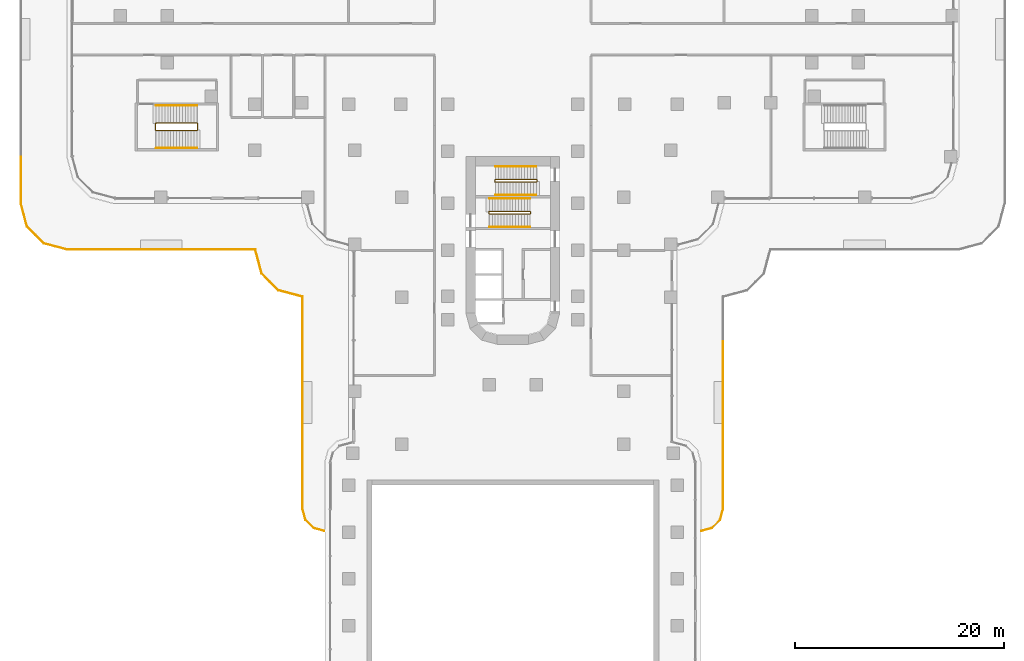
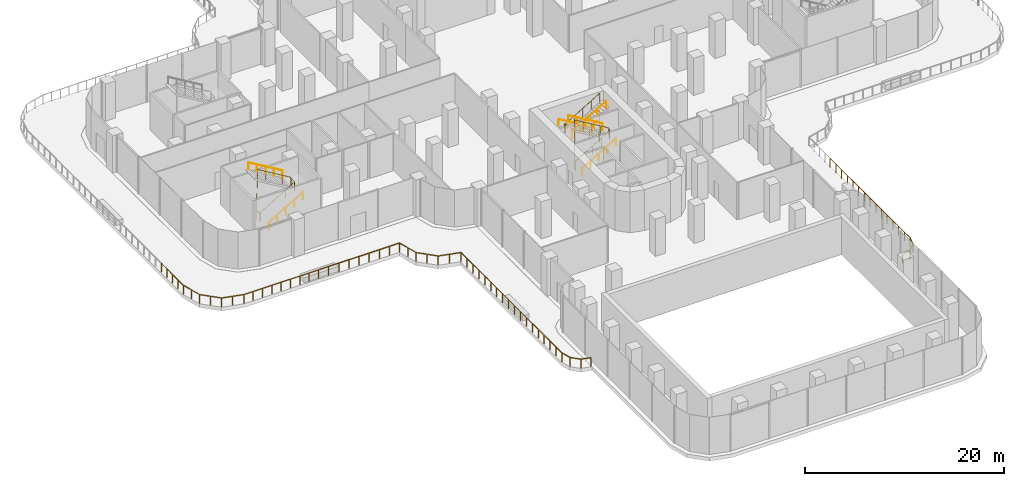
# One storey, part 23 of 27: 13 railings.
"""IFC4 building model written with IfcOpenShell, lengths in metres."""

from ifc_helpers import new_model, si_unit, direction, frame, origin, origin_2d, place, context, subcontext, project, spatial, circle, extrude, material, type_object, element, save


model = new_model("IFC4")

# Units and contexts
model_context = context("Model", 3, precision=1e-05, world=origin(), true_north=direction((0.0, 1.0)))
body_context = subcontext(model_context, "Body", "Model", "MODEL_VIEW")
ifc_project = project(units=[si_unit("LENGTHUNIT", "METRE"), si_unit("AREAUNIT", "SQUARE_METRE"), si_unit("VOLUMEUNIT", "CUBIC_METRE"), si_unit("PLANEANGLEUNIT", "RADIAN"), si_unit("MASSUNIT", "GRAM", prefix="KILO")], contexts=[model_context])

# Site, building, storey
site_placement = place(None, origin())
site = spatial("IfcSite", under=ifc_project, at=site_placement, CompositionType="ELEMENT")
building_placement = place(site_placement, origin())
building = spatial("IfcBuilding", under=site, at=building_placement, Name="Zarbagh Exchange Tower", CompositionType="ELEMENT")
storey_placement = place(building_placement, frame((0.0, 0.0, 17.0)))
storey = spatial("IfcBuildingStorey", under=building, at=storey_placement, Name="L03", CompositionType="ELEMENT", Elevation=17.0)

# Railings
ifc_material_1 = material(Name="Stainless steel", Category="steel")
railing_type_1 = type_object("IfcRailingType", Name="Stair guard 1100 mm", PredefinedType="GUARDRAIL", material=ifc_material_1)
railing_1_placement = place(storey_placement, frame((1.669921875, -16.5, 2.666748046875)))
element("IfcRailing", 1, at=railing_1_placement, inside=storey, type_object=railing_type_1, Name="ST3 stair guard 1", PredefinedType="GUARDRAIL", context=body_context, shape_type="SweptSolid", body=[
    extrude(circle(Radius=0.02392578125, at=origin_2d()), frame((0.0, 0.0, 1.076171875), z_axis=(-0.859296244711, 0.0, 0.511478214419), x_axis=(0.0, -1.0, 0.0)), (0.0, 0.0, 1.0), 4.561767578125),
    extrude(circle(Radius=0.02392578125, at=origin_2d()), frame((-3.919921875, 0.0, 3.4091796875), z_axis=(-0.010008762843, -0.010008762843, -0.999899819648), x_axis=(0.707106781187, -0.707106781187, 0.0)), (0.0, 0.0, 1.0), 5.00048828125),
    extrude(circle(Radius=0.02392578125, at=origin_2d()), frame((-3.969970703125, -0.050048828125, -1.5908203125), z_axis=(0.0, -1.0, 0.0), x_axis=(1.0, 0.0, 0.0)), (0.0, 0.0, 1.0), 0.14990234375),
    extrude(circle(Radius=0.02392578125, at=origin_2d()), frame((-3.969970703125, -0.199951171875, -1.5908203125), z_axis=(0.27628659633, -0.27628659633, 0.920506074601), x_axis=(0.707106781187, 0.707106781187, 0.0)), (0.0, 0.0, 1.0), 0.18115234375),
    extrude(circle(Radius=0.02392578125, at=origin_2d()), frame((-3.919921875, -0.25, -1.423828125), z_axis=(0.859296244711, 0.0, 0.511478214419), x_axis=(0.0, 1.0, 0.0)), (0.0, 0.0, 1.0), 4.561767578125),
    extrude(circle(Radius=0.02392578125, at=origin_2d()), frame((0.0, -0.25, 0.9091796875), z_axis=(0.707106781187, 0.707106781187, 0.0), x_axis=(-0.707106781187, 0.707106781187, 0.0)), (0.0, 0.0, 1.0), 0.07080078125),
    extrude(circle(Radius=0.02392578125, at=origin_2d()), frame((0.050048828125, -0.199951171875, 0.9091796875), z_axis=(0.0, 1.0, 0.0), x_axis=(-1.0, 0.0, 0.0)), (0.0, 0.0, 1.0), 0.14990234375),
    extrude(circle(Radius=0.02099609375, at=origin_2d()), origin(), (0.0, 0.0, 1.0), 1.052001953125),
    extrude(circle(Radius=0.02099609375, at=origin_2d()), frame((-0.97998046875, 0.0, 0.583251953125)), (0.0, 0.0, 1.0), 1.052001953125),
    extrude(circle(Radius=0.02099609375, at=origin_2d()), frame((-1.9599609375, 0.0, 1.16650390625)), (0.0, 0.0, 1.0), 1.052001953125),
    extrude(circle(Radius=0.02099609375, at=origin_2d()), frame((-2.93994140625, 0.0, 1.75)), (0.0, 0.0, 1.0), 1.052001953125),
    extrude(circle(Radius=0.02099609375, at=origin_2d()), frame((-3.919921875, 0.0, 2.333251953125)), (0.0, 0.0, 1.0), 1.052001953125),
    extrude(circle(Radius=0.02099609375, at=origin_2d()), frame((-3.929931640625, -0.010009765625, 1.333251953125)), (0.0, 0.0, 1.0), 1.052001953125),
    extrude(circle(Radius=0.02099609375, at=origin_2d()), frame((-3.93994140625, -0.02001953125, 0.333251953125)), (0.0, 0.0, 1.0), 1.052001953125),
    extrude(circle(Radius=0.02099609375, at=origin_2d()), frame((-3.949951171875, -0.030029296875, -0.666748046875)), (0.0, 0.0, 1.0), 1.052001953125),
    extrude(circle(Radius=0.02099609375, at=origin_2d()), frame((-3.9599609375, -0.0400390625, -1.666748046875)), (0.0, 0.0, 1.0), 1.052001953125),
    extrude(circle(Radius=0.02099609375, at=origin_2d()), frame((-3.969970703125, -0.050048828125, -2.666748046875)), (0.0, 0.0, 1.0), 1.052001953125),
    extrude(circle(Radius=0.02099609375, at=origin_2d()), frame((-3.969970703125, -0.199951171875, -2.666748046875)), (0.0, 0.0, 1.0), 1.052001953125),
    extrude(circle(Radius=0.02099609375, at=origin_2d()), frame((-3.919921875, -0.25, -2.5)), (0.0, 0.0, 1.0), 1.052001953125),
    extrude(circle(Radius=0.02099609375, at=origin_2d()), frame((-2.93994140625, -0.25, -1.916748046875)), (0.0, 0.0, 1.0), 1.052001953125),
    extrude(circle(Radius=0.02099609375, at=origin_2d()), frame((-1.9599609375, -0.25, -1.33349609375)), (0.0, 0.0, 1.0), 1.052001953125),
    extrude(circle(Radius=0.02099609375, at=origin_2d()), frame((-0.97998046875, -0.25, -0.75)), (0.0, 0.0, 1.0), 1.052001953125),
    extrude(circle(Radius=0.02099609375, at=origin_2d()), frame((0.0, -0.25, -0.166748046875)), (0.0, 0.0, 1.0), 1.052001953125),
    extrude(circle(Radius=0.02099609375, at=origin_2d()), frame((0.050048828125, -0.199951171875, -0.166748046875)), (0.0, 0.0, 1.0), 1.052001953125),
    extrude(circle(Radius=0.02099609375, at=origin_2d()), frame((0.050048828125, -0.050048828125, -0.166748046875)), (0.0, 0.0, 1.0), 1.052001953125),
])
railing_2_placement = place(storey_placement, frame((-1.719970703125, -13.5, 2.5)))
element("IfcRailing", 2, at=railing_2_placement, inside=storey, type_object=railing_type_1, Name="ST4 stair guard 1", PredefinedType="GUARDRAIL", context=body_context, shape_type="SweptSolid", body=[
    extrude(circle(Radius=0.02392578125, at=origin_2d()), frame((0.0, 0.0, 1.076171875), z_axis=(0.0, -1.0, 0.0), x_axis=(1.0, 0.0, 0.0)), (0.0, 0.0, 1.0), 0.14990234375),
    extrude(circle(Radius=0.02392578125, at=origin_2d()), frame((0.0, -0.14990234375, 1.076171875), z_axis=(0.27628659633, -0.27628659633, 0.920506074601), x_axis=(0.707106781187, 0.707106781187, 0.0)), (0.0, 0.0, 1.0), 0.18115234375),
    extrude(circle(Radius=0.02392578125, at=origin_2d()), frame((0.050048828125, -0.199951171875, 1.24267578125), z_axis=(0.859296244711, 0.0, 0.511478214419), x_axis=(0.0, 1.0, 0.0)), (0.0, 0.0, 1.0), 4.561767578125),
    extrude(circle(Radius=0.02392578125, at=origin_2d()), frame((3.969970703125, -0.199951171875, 3.576171875), z_axis=(0.010008762843, 0.010008762843, -0.999899819648), x_axis=(-0.707106781187, 0.707106781187, 0.0)), (0.0, 0.0, 1.0), 5.00048828125),
    extrude(circle(Radius=0.02392578125, at=origin_2d()), frame((4.02001953125, -0.14990234375, -1.423828125), z_axis=(0.0, 1.0, 0.0), x_axis=(-1.0, 0.0, 0.0)), (0.0, 0.0, 1.0), 0.14990234375),
    extrude(circle(Radius=0.02392578125, at=origin_2d()), frame((4.02001953125, 0.0, -1.423828125), z_axis=(-0.27628659633, 0.27628659633, 0.920506074601), x_axis=(-0.707106781187, -0.707106781187, 0.0)), (0.0, 0.0, 1.0), 0.18115234375),
    extrude(circle(Radius=0.02392578125, at=origin_2d()), frame((3.969970703125, 0.050048828125, -1.25732421875), z_axis=(-0.859296244711, 0.0, 0.511478214419), x_axis=(0.0, -1.0, 0.0)), (0.0, 0.0, 1.0), 4.561767578125),
    extrude(circle(Radius=0.02099609375, at=origin_2d()), origin(), (0.0, 0.0, 1.0), 1.052001953125),
    extrude(circle(Radius=0.02099609375, at=origin_2d()), frame((0.0, -0.14990234375, 0.0)), (0.0, 0.0, 1.0), 1.052001953125),
    extrude(circle(Radius=0.02099609375, at=origin_2d()), frame((0.050048828125, -0.199951171875, 0.166748046875)), (0.0, 0.0, 1.0), 1.052001953125),
    extrude(circle(Radius=0.02099609375, at=origin_2d()), frame((1.030029296875, -0.199951171875, 0.75)), (0.0, 0.0, 1.0), 1.052001953125),
    extrude(circle(Radius=0.02099609375, at=origin_2d()), frame((2.010009765625, -0.199951171875, 1.33349609375)), (0.0, 0.0, 1.0), 1.052001953125),
    extrude(circle(Radius=0.02099609375, at=origin_2d()), frame((2.989990234375, -0.199951171875, 1.916748046875)), (0.0, 0.0, 1.0), 1.052001953125),
    extrude(circle(Radius=0.02099609375, at=origin_2d()), frame((3.969970703125, -0.199951171875, 2.5)), (0.0, 0.0, 1.0), 1.052001953125),
    extrude(circle(Radius=0.02099609375, at=origin_2d()), frame((3.97998046875, -0.18994140625, 1.5)), (0.0, 0.0, 1.0), 1.052001953125),
    extrude(circle(Radius=0.02099609375, at=origin_2d()), frame((3.989990234375, -0.179931640625, 0.5)), (0.0, 0.0, 1.0), 1.052001953125),
    extrude(circle(Radius=0.02099609375, at=origin_2d()), frame((4.0, -0.169921875, -0.5)), (0.0, 0.0, 1.0), 1.052001953125),
    extrude(circle(Radius=0.02099609375, at=origin_2d()), frame((4.010009765625, -0.159912109375, -1.5)), (0.0, 0.0, 1.0), 1.052001953125),
    extrude(circle(Radius=0.02099609375, at=origin_2d()), frame((4.02001953125, -0.14990234375, -2.5)), (0.0, 0.0, 1.0), 1.052001953125),
    extrude(circle(Radius=0.02099609375, at=origin_2d()), frame((4.02001953125, 0.0, -2.5)), (0.0, 0.0, 1.0), 1.052001953125),
    extrude(circle(Radius=0.02099609375, at=origin_2d()), frame((3.969970703125, 0.050048828125, -2.333251953125)), (0.0, 0.0, 1.0), 1.052001953125),
    extrude(circle(Radius=0.02099609375, at=origin_2d()), frame((2.989990234375, 0.050048828125, -1.75)), (0.0, 0.0, 1.0), 1.052001953125),
    extrude(circle(Radius=0.02099609375, at=origin_2d()), frame((2.010009765625, 0.050048828125, -1.16650390625)), (0.0, 0.0, 1.0), 1.052001953125),
    extrude(circle(Radius=0.02099609375, at=origin_2d()), frame((1.030029296875, 0.050048828125, -0.583251953125)), (0.0, 0.0, 1.0), 1.052001953125),
    extrude(circle(Radius=0.02099609375, at=origin_2d()), frame((0.050048828125, 0.050048828125, 0.0)), (0.0, 0.0, 1.0), 1.052001953125),
])
railing_3_placement = place(storey_placement, frame((-30.22998046875, -8.699951171875, 2.5)))
element("IfcRailing", 3, at=railing_3_placement, inside=storey, type_object=railing_type_1, Name="PS4 stair guard 1", PredefinedType="GUARDRAIL", context=body_context, shape_type="SweptSolid", body=[
    extrude(circle(Radius=0.02392578125, at=origin_2d()), frame((0.0, 0.0, 1.076171875), z_axis=(0.0, 1.0, 0.0), x_axis=(-1.0, 0.0, 0.0)), (0.0, 0.0, 1.0), 0.599853515625),
    extrude(circle(Radius=0.02392578125, at=origin_2d()), frame((0.0, 0.599853515625, 1.076171875), z_axis=(-0.27628659633, 0.27628659633, 0.920506074601), x_axis=(-0.707106781187, -0.707106781187, 0.0)), (0.0, 0.0, 1.0), 0.18115234375),
    extrude(circle(Radius=0.02392578125, at=origin_2d()), frame((-0.050048828125, 0.64990234375, 1.24267578125), z_axis=(-0.859296244711, 0.0, 0.511478214419), x_axis=(0.0, -1.0, 0.0)), (0.0, 0.0, 1.0), 4.561767578125),
    extrude(circle(Radius=0.02392578125, at=origin_2d()), frame((-3.969970703125, 0.64990234375, 3.576171875), z_axis=(-0.010008762843, -0.010008762843, -0.999899819648), x_axis=(0.707106781187, -0.707106781187, 0.0)), (0.0, 0.0, 1.0), 5.00048828125),
    extrude(circle(Radius=0.02392578125, at=origin_2d()), frame((-4.02001953125, 0.599853515625, -1.423828125), z_axis=(0.0, -1.0, 0.0), x_axis=(1.0, 0.0, 0.0)), (0.0, 0.0, 1.0), 0.599853515625),
    extrude(circle(Radius=0.02392578125, at=origin_2d()), frame((-4.02001953125, 0.0, -1.423828125), z_axis=(0.27628659633, -0.27628659633, 0.920506074601), x_axis=(0.707106781187, 0.707106781187, 0.0)), (0.0, 0.0, 1.0), 0.18115234375),
    extrude(circle(Radius=0.02392578125, at=origin_2d()), frame((-3.969970703125, -0.050048828125, -1.25732421875), z_axis=(0.859296244711, 0.0, 0.511478214419), x_axis=(0.0, 1.0, 0.0)), (0.0, 0.0, 1.0), 4.561767578125),
    extrude(circle(Radius=0.02099609375, at=origin_2d()), origin(), (0.0, 0.0, 1.0), 1.052001953125),
    extrude(circle(Radius=0.02099609375, at=origin_2d()), frame((0.0, 0.599853515625, 0.0)), (0.0, 0.0, 1.0), 1.052001953125),
    extrude(circle(Radius=0.02099609375, at=origin_2d()), frame((-0.050048828125, 0.64990234375, 0.166748046875)), (0.0, 0.0, 1.0), 1.052001953125),
    extrude(circle(Radius=0.02099609375, at=origin_2d()), frame((-1.030029296875, 0.64990234375, 0.75)), (0.0, 0.0, 1.0), 1.052001953125),
    extrude(circle(Radius=0.02099609375, at=origin_2d()), frame((-2.010009765625, 0.64990234375, 1.33349609375)), (0.0, 0.0, 1.0), 1.052001953125),
    extrude(circle(Radius=0.02099609375, at=origin_2d()), frame((-2.989990234375, 0.64990234375, 1.916748046875)), (0.0, 0.0, 1.0), 1.052001953125),
    extrude(circle(Radius=0.02099609375, at=origin_2d()), frame((-3.969970703125, 0.64990234375, 2.5)), (0.0, 0.0, 1.0), 1.052001953125),
    extrude(circle(Radius=0.02099609375, at=origin_2d()), frame((-3.97998046875, 0.639892578125, 1.5)), (0.0, 0.0, 1.0), 1.052001953125),
    extrude(circle(Radius=0.02099609375, at=origin_2d()), frame((-3.989990234375, 0.6298828125, 0.5)), (0.0, 0.0, 1.0), 1.052001953125),
    extrude(circle(Radius=0.02099609375, at=origin_2d()), frame((-4.0, 0.619873046875, -0.5)), (0.0, 0.0, 1.0), 1.052001953125),
    extrude(circle(Radius=0.02099609375, at=origin_2d()), frame((-4.010009765625, 0.60986328125, -1.5)), (0.0, 0.0, 1.0), 1.052001953125),
    extrude(circle(Radius=0.02099609375, at=origin_2d()), frame((-4.02001953125, 0.599853515625, -2.5)), (0.0, 0.0, 1.0), 1.052001953125),
    extrude(circle(Radius=0.02099609375, at=origin_2d()), frame((-4.02001953125, 0.0, -2.5)), (0.0, 0.0, 1.0), 1.052001953125),
    extrude(circle(Radius=0.02099609375, at=origin_2d()), frame((-3.969970703125, -0.050048828125, -2.333251953125)), (0.0, 0.0, 1.0), 1.052001953125),
    extrude(circle(Radius=0.02099609375, at=origin_2d()), frame((-2.989990234375, -0.050048828125, -1.75)), (0.0, 0.0, 1.0), 1.052001953125),
    extrude(circle(Radius=0.02099609375, at=origin_2d()), frame((-2.010009765625, -0.050048828125, -1.16650390625)), (0.0, 0.0, 1.0), 1.052001953125),
    extrude(circle(Radius=0.02099609375, at=origin_2d()), frame((-1.030029296875, -0.050048828125, -0.583251953125)), (0.0, 0.0, 1.0), 1.052001953125),
    extrude(circle(Radius=0.02099609375, at=origin_2d()), frame((-0.050048828125, -0.050048828125, 0.0)), (0.0, 0.0, 1.0), 1.052001953125),
])
railing_type_2 = type_object("IfcRailingType", Name="Stair handrail 900 mm", PredefinedType="HANDRAIL", material=ifc_material_1)
railing_4_placement = place(storey_placement, frame((-2.25, -18.0, 0.166748046875)))
element("IfcRailing", 4, at=railing_4_placement, inside=storey, type_object=railing_type_2, Name="ST3 stair handrail 1", PredefinedType="HANDRAIL", context=body_context, shape_type="SweptSolid", body=[
    extrude(circle(Radius=0.02392578125, at=origin_2d()), frame((0.0, 0.0, 0.8759765625), z_axis=(0.859296244711, 0.0, 0.511478214419), x_axis=(0.0, 1.0, 0.0)), (0.0, 0.0, 1.0), 4.561767578125),
    extrude(circle(Radius=0.02099609375, at=origin_2d()), origin(), (0.0, 0.0, 1.0), 0.851806640625),
    extrude(circle(Radius=0.02099609375, at=origin_2d()), frame((0.97998046875, 0.0, 0.583251953125)), (0.0, 0.0, 1.0), 0.851806640625),
    extrude(circle(Radius=0.02099609375, at=origin_2d()), frame((1.9599609375, 0.0, 1.16650390625)), (0.0, 0.0, 1.0), 0.851806640625),
    extrude(circle(Radius=0.02099609375, at=origin_2d()), frame((2.93994140625, 0.0, 1.75)), (0.0, 0.0, 1.0), 0.851806640625),
    extrude(circle(Radius=0.02099609375, at=origin_2d()), frame((3.919921875, 0.0, 2.333251953125)), (0.0, 0.0, 1.0), 0.851806640625),
])
for number, where, name in (
    (5, (1.669921875, -15.25, 2.666748046875), "ST3 stair handrail 2"),
    (6, (2.25, -12.199951171875, 0.166748046875), "ST4 stair handrail 1"),
):
    element("IfcRailing", number, at=place(storey_placement, frame(where)), inside=storey, type_object=railing_type_2, Name=name, PredefinedType="HANDRAIL", context=body_context, shape_type="SweptSolid", body=[
        extrude(circle(Radius=0.02392578125, at=origin_2d()), frame((0.0, 0.0, 0.8759765625), z_axis=(-0.859296244711, 0.0, 0.511478214419), x_axis=(0.0, -1.0, 0.0)), (0.0, 0.0, 1.0), 4.561767578125),
        extrude(circle(Radius=0.02099609375, at=origin_2d()), origin(), (0.0, 0.0, 1.0), 0.851806640625),
        extrude(circle(Radius=0.02099609375, at=origin_2d()), frame((-0.97998046875, 0.0, 0.583251953125)), (0.0, 0.0, 1.0), 0.851806640625),
        extrude(circle(Radius=0.02099609375, at=origin_2d()), frame((-1.9599609375, 0.0, 1.16650390625)), (0.0, 0.0, 1.0), 0.851806640625),
        extrude(circle(Radius=0.02099609375, at=origin_2d()), frame((-2.93994140625, 0.0, 1.75)), (0.0, 0.0, 1.0), 0.851806640625),
        extrude(circle(Radius=0.02099609375, at=origin_2d()), frame((-3.919921875, 0.0, 2.333251953125)), (0.0, 0.0, 1.0), 0.851806640625),
    ])
for number, where, name in (
    (7, (-1.669921875, -14.949951171875, 2.666748046875), "ST4 stair handrail 2"),
    (8, (-34.199951171875, -10.449951171875, 0.166748046875), "PS4 stair handrail 1"),
):
    element("IfcRailing", number, at=place(storey_placement, frame(where)), inside=storey, type_object=railing_type_2, Name=name, PredefinedType="HANDRAIL", context=body_context, shape_type="SweptSolid", body=[
        extrude(circle(Radius=0.02392578125, at=origin_2d()), frame((0.0, 0.0, 0.8759765625), z_axis=(0.859296244711, 0.0, 0.511478214419), x_axis=(0.0, 1.0, 0.0)), (0.0, 0.0, 1.0), 4.561767578125),
        extrude(circle(Radius=0.02099609375, at=origin_2d()), origin(), (0.0, 0.0, 1.0), 0.851806640625),
        extrude(circle(Radius=0.02099609375, at=origin_2d()), frame((0.97998046875, 0.0, 0.583251953125)), (0.0, 0.0, 1.0), 0.851806640625),
        extrude(circle(Radius=0.02099609375, at=origin_2d()), frame((1.9599609375, 0.0, 1.16650390625)), (0.0, 0.0, 1.0), 0.851806640625),
        extrude(circle(Radius=0.02099609375, at=origin_2d()), frame((2.93994140625, 0.0, 1.75)), (0.0, 0.0, 1.0), 0.851806640625),
        extrude(circle(Radius=0.02099609375, at=origin_2d()), frame((3.919921875, 0.0, 2.333251953125)), (0.0, 0.0, 1.0), 0.851806640625),
    ])
railing_5_placement = place(storey_placement, frame((-30.280029296875, -6.35009765625, 2.666748046875)))
element("IfcRailing", 9, at=railing_5_placement, inside=storey, type_object=railing_type_2, Name="PS4 stair handrail 2", PredefinedType="HANDRAIL", context=body_context, shape_type="SweptSolid", body=[
    extrude(circle(Radius=0.02392578125, at=origin_2d()), frame((0.0, 0.0, 0.8759765625), z_axis=(-0.859296244711, 0.0, 0.511478214419), x_axis=(0.0, -1.0, 0.0)), (0.0, 0.0, 1.0), 4.561767578125),
    extrude(circle(Radius=0.02099609375, at=origin_2d()), origin(), (0.0, 0.0, 1.0), 0.851806640625),
    extrude(circle(Radius=0.02099609375, at=origin_2d()), frame((-0.97998046875, 0.0, 0.583251953125)), (0.0, 0.0, 1.0), 0.851806640625),
    extrude(circle(Radius=0.02099609375, at=origin_2d()), frame((-1.9599609375, 0.0, 1.16650390625)), (0.0, 0.0, 1.0), 0.851806640625),
    extrude(circle(Radius=0.02099609375, at=origin_2d()), frame((-2.93994140625, 0.0, 1.75)), (0.0, 0.0, 1.0), 0.851806640625),
    extrude(circle(Radius=0.02099609375, at=origin_2d()), frame((-3.919921875, 0.0, 2.333251953125)), (0.0, 0.0, 1.0), 0.851806640625),
])
ifc_material_2 = material(Name="Stainless steel and laminated glass", Category="steel")
railing_type_3 = type_object("IfcRailingType", Name="Terrace guard, glass balustrade 1.1 m", PredefinedType="GUARDRAIL", material=ifc_material_2)
railing_6_placement = place(storey_placement, frame((-18.080078125, -47.145751953125, 0.0)))
element("IfcRailing", 10, at=railing_6_placement, inside=storey, type_object=railing_type_3, Name="TG01 terrace guard", PredefinedType="GUARDRAIL", context=body_context, shape_type="SweptSolid", body=[
    extrude(circle(Radius=0.02490234375, at=origin_2d()), frame((0.0, 0.0, 1.0751953125), z_axis=(-0.96594175785, 0.258759580387, 0.0), x_axis=(-0.258759580387, -0.96594175785, 0.0)), (0.0, 0.0, 1.0), 1.038818359375),
    extrude(circle(Radius=0.02490234375, at=origin_2d()), frame((-1.00341796875, 0.268798828125, 1.0751953125), z_axis=(-0.707106781187, 0.707106781187, 0.0), x_axis=(-0.707106781187, -0.707106781187, 0.0)), (0.0, 0.0, 1.0), 1.1220703125),
    extrude(circle(Radius=0.02490234375, at=origin_2d()), frame((-1.796875, 1.062255859375, 1.0751953125), z_axis=(-0.258682208729, 0.965962481097, 0.0), x_axis=(-0.965962481097, -0.258682208729, 0.0)), (0.0, 0.0, 1.0), 1.132568359375),
    extrude(circle(Radius=0.02490234375, at=origin_2d()), frame((-2.08984375, 2.15625, 1.0751953125), z_axis=(0.0, 1.0, 0.0), x_axis=(-1.0, 0.0, 0.0)), (0.0, 0.0, 1.0), 16.70654296875),
    extrude(circle(Radius=0.02490234375, at=origin_2d()), origin(), (0.0, 0.0, 1.0), 1.050048828125),
    extrude(circle(Radius=0.02490234375, at=origin_2d()), frame((-1.00341796875, 0.268798828125, 0.0)), (0.0, 0.0, 1.0), 1.050048828125),
    extrude(circle(Radius=0.02490234375, at=origin_2d()), frame((-1.796875, 1.062255859375, 0.0)), (0.0, 0.0, 1.0), 1.050048828125),
    extrude(circle(Radius=0.02490234375, at=origin_2d()), frame((-2.08984375, 2.15625, 0.0)), (0.0, 0.0, 1.0), 1.050048828125),
    extrude(circle(Radius=0.02490234375, at=origin_2d()), frame((-2.08984375, 3.349609375, 0.0)), (0.0, 0.0, 1.0), 1.050048828125),
    extrude(circle(Radius=0.02490234375, at=origin_2d()), frame((-2.08984375, 4.54296875, 0.0)), (0.0, 0.0, 1.0), 1.050048828125),
    extrude(circle(Radius=0.02490234375, at=origin_2d()), frame((-2.08984375, 5.736328125, 0.0)), (0.0, 0.0, 1.0), 1.050048828125),
    extrude(circle(Radius=0.02490234375, at=origin_2d()), frame((-2.08984375, 6.929443359375, 0.0)), (0.0, 0.0, 1.0), 1.050048828125),
    extrude(circle(Radius=0.02490234375, at=origin_2d()), frame((-2.08984375, 8.122802734375, 0.0)), (0.0, 0.0, 1.0), 1.050048828125),
    extrude(circle(Radius=0.02490234375, at=origin_2d()), frame((-2.08984375, 9.316162109375, 0.0)), (0.0, 0.0, 1.0), 1.050048828125),
    extrude(circle(Radius=0.02490234375, at=origin_2d()), frame((-2.08984375, 10.509521484375, 0.0)), (0.0, 0.0, 1.0), 1.050048828125),
    extrude(circle(Radius=0.02490234375, at=origin_2d()), frame((-2.08984375, 11.702880859375, 0.0)), (0.0, 0.0, 1.0), 1.050048828125),
    extrude(circle(Radius=0.02490234375, at=origin_2d()), frame((-2.08984375, 12.896240234375, 0.0)), (0.0, 0.0, 1.0), 1.050048828125),
    extrude(circle(Radius=0.02490234375, at=origin_2d()), frame((-2.08984375, 14.089599609375, 0.0)), (0.0, 0.0, 1.0), 1.050048828125),
    extrude(circle(Radius=0.02490234375, at=origin_2d()), frame((-2.08984375, 15.28271484375, 0.0)), (0.0, 0.0, 1.0), 1.050048828125),
    extrude(circle(Radius=0.02490234375, at=origin_2d()), frame((-2.08984375, 16.47607421875, 0.0)), (0.0, 0.0, 1.0), 1.050048828125),
    extrude(circle(Radius=0.02490234375, at=origin_2d()), frame((-2.08984375, 17.66943359375, 0.0)), (0.0, 0.0, 1.0), 1.050048828125),
    extrude(circle(Radius=0.02490234375, at=origin_2d()), frame((-2.08984375, 18.86279296875, 0.0)), (0.0, 0.0, 1.0), 1.050048828125),
])
railing_7_placement = place(storey_placement, frame((-20.169921875, -28.282958984375, 0.0)))
element("IfcRailing", 11, at=railing_7_placement, inside=storey, type_object=railing_type_3, Name="TG01 terrace guard", PredefinedType="GUARDRAIL", context=body_context, shape_type="SweptSolid", body=[
    extrude(circle(Radius=0.02490234375, at=origin_2d()), frame((0.0, 0.0, 1.0751953125), z_axis=(0.0, 1.0, 0.0), x_axis=(-1.0, 0.0, 0.0)), (0.0, 0.0, 1.0), 3.59423828125),
    extrude(circle(Radius=0.02490234375, at=origin_2d()), frame((0.0, 3.59423828125, 1.0751953125), z_axis=(-0.965919533457, 0.258842529128, 0.0), x_axis=(-0.258842529128, -0.965919533457, 0.0)), (0.0, 0.0, 1.0), 2.369384765625),
    extrude(circle(Radius=0.02490234375, at=origin_2d()), frame((-2.28857421875, 4.20751953125, 1.0751953125), z_axis=(-0.707106781187, 0.707106781187, 0.0), x_axis=(-0.707106781187, -0.707106781187, 0.0)), (0.0, 0.0, 1.0), 2.28662109375),
    extrude(circle(Radius=0.02490234375, at=origin_2d()), frame((-3.905517578125, 5.824462890625, 1.0751953125), z_axis=(-0.258842529128, 0.965919533457, 0.0), x_axis=(-0.965919533457, -0.258842529128, 0.0)), (0.0, 0.0, 1.0), 2.369384765625),
    extrude(circle(Radius=0.02490234375, at=origin_2d()), frame((-4.518798828125, 8.113037109375, 1.0751953125), z_axis=(-1.0, 0.0, 0.0), x_axis=(0.0, -1.0, 0.0)), (0.0, 0.0, 1.0), 9.38037109375),
    extrude(circle(Radius=0.02490234375, at=origin_2d()), origin(), (0.0, 0.0, 1.0), 1.050048828125),
    extrude(circle(Radius=0.02490234375, at=origin_2d()), frame((0.0, 1.197998046875, 0.0)), (0.0, 0.0, 1.0), 1.050048828125),
    extrude(circle(Radius=0.02490234375, at=origin_2d()), frame((0.0, 2.396240234375, 0.0)), (0.0, 0.0, 1.0), 1.050048828125),
    extrude(circle(Radius=0.02490234375, at=origin_2d()), frame((0.0, 3.59423828125, 0.0)), (0.0, 0.0, 1.0), 1.050048828125),
    extrude(circle(Radius=0.02490234375, at=origin_2d()), frame((-1.144287109375, 3.90087890625, 0.0)), (0.0, 0.0, 1.0), 1.050048828125),
    extrude(circle(Radius=0.02490234375, at=origin_2d()), frame((-2.28857421875, 4.20751953125, 0.0)), (0.0, 0.0, 1.0), 1.050048828125),
    extrude(circle(Radius=0.02490234375, at=origin_2d()), frame((-3.09716796875, 5.01611328125, 0.0)), (0.0, 0.0, 1.0), 1.050048828125),
    extrude(circle(Radius=0.02490234375, at=origin_2d()), frame((-3.905517578125, 5.824462890625, 0.0)), (0.0, 0.0, 1.0), 1.050048828125),
    extrude(circle(Radius=0.02490234375, at=origin_2d()), frame((-4.212158203125, 6.96875, 0.0)), (0.0, 0.0, 1.0), 1.050048828125),
    extrude(circle(Radius=0.02490234375, at=origin_2d()), frame((-4.518798828125, 8.113037109375, 0.0)), (0.0, 0.0, 1.0), 1.050048828125),
    extrude(circle(Radius=0.02490234375, at=origin_2d()), frame((-5.69140625, 8.113037109375, 0.0)), (0.0, 0.0, 1.0), 1.050048828125),
    extrude(circle(Radius=0.02490234375, at=origin_2d()), frame((-6.86376953125, 8.113037109375, 0.0)), (0.0, 0.0, 1.0), 1.050048828125),
    extrude(circle(Radius=0.02490234375, at=origin_2d()), frame((-8.036376953125, 8.113037109375, 0.0)), (0.0, 0.0, 1.0), 1.050048828125),
    extrude(circle(Radius=0.02490234375, at=origin_2d()), frame((-9.208984375, 8.113037109375, 0.0)), (0.0, 0.0, 1.0), 1.050048828125),
    extrude(circle(Radius=0.02490234375, at=origin_2d()), frame((-10.381591796875, 8.113037109375, 0.0)), (0.0, 0.0, 1.0), 1.050048828125),
    extrude(circle(Radius=0.02490234375, at=origin_2d()), frame((-11.55419921875, 8.113037109375, 0.0)), (0.0, 0.0, 1.0), 1.050048828125),
    extrude(circle(Radius=0.02490234375, at=origin_2d()), frame((-12.7265625, 8.113037109375, 0.0)), (0.0, 0.0, 1.0), 1.050048828125),
    extrude(circle(Radius=0.02490234375, at=origin_2d()), frame((-13.899169921875, 8.113037109375, 0.0)), (0.0, 0.0, 1.0), 1.050048828125),
])
railing_8_placement = place(storey_placement, frame((-34.069091796875, -20.169921875, 0.0)))
element("IfcRailing", 12, at=railing_8_placement, inside=storey, type_object=railing_type_3, Name="TG01 terrace guard", PredefinedType="GUARDRAIL", context=body_context, shape_type="SweptSolid", body=[
    extrude(circle(Radius=0.02490234375, at=origin_2d()), frame((0.0, 0.0, 1.0751953125), z_axis=(-1.0, 0.0, 0.0), x_axis=(0.0, -1.0, 0.0)), (0.0, 0.0, 1.0), 8.67041015625),
    extrude(circle(Radius=0.02490234375, at=origin_2d()), frame((-8.67041015625, 0.0, 1.0751953125), z_axis=(-0.965936192935, 0.258780353152, 0.0), x_axis=(-0.258780353152, -0.965936192935, 0.0)), (0.0, 0.0, 1.0), 2.29736328125),
    extrude(circle(Radius=0.02490234375, at=origin_2d()), frame((-10.889404296875, 0.594482421875, 1.0751953125), z_axis=(-0.707106781187, 0.707106781187, 0.0), x_axis=(-0.707106781187, -0.707106781187, 0.0)), (0.0, 0.0, 1.0), 2.28662109375),
    extrude(circle(Radius=0.02490234375, at=origin_2d()), frame((-12.50634765625, 2.21142578125, 1.0751953125), z_axis=(-0.258780353152, 0.965936192935, 0.0), x_axis=(-0.965936192935, -0.258780353152, 0.0)), (0.0, 0.0, 1.0), 2.29736328125),
    extrude(circle(Radius=0.02490234375, at=origin_2d()), frame((-13.100830078125, 4.430419921875, 1.0751953125), z_axis=(0.0, 1.0, 0.0), x_axis=(-1.0, 0.0, 0.0)), (0.0, 0.0, 1.0), 4.4482421875),
    extrude(circle(Radius=0.02490234375, at=origin_2d()), origin(), (0.0, 0.0, 1.0), 1.050048828125),
    extrude(circle(Radius=0.02490234375, at=origin_2d()), frame((-1.083740234375, 0.0, 0.0)), (0.0, 0.0, 1.0), 1.050048828125),
    extrude(circle(Radius=0.02490234375, at=origin_2d()), frame((-2.16748046875, 0.0, 0.0)), (0.0, 0.0, 1.0), 1.050048828125),
    extrude(circle(Radius=0.02490234375, at=origin_2d()), frame((-3.25146484375, 0.0, 0.0)), (0.0, 0.0, 1.0), 1.050048828125),
    extrude(circle(Radius=0.02490234375, at=origin_2d()), frame((-4.335205078125, 0.0, 0.0)), (0.0, 0.0, 1.0), 1.050048828125),
    extrude(circle(Radius=0.02490234375, at=origin_2d()), frame((-5.4189453125, 0.0, 0.0)), (0.0, 0.0, 1.0), 1.050048828125),
    extrude(circle(Radius=0.02490234375, at=origin_2d()), frame((-6.5029296875, 0.0, 0.0)), (0.0, 0.0, 1.0), 1.050048828125),
    extrude(circle(Radius=0.02490234375, at=origin_2d()), frame((-7.586669921875, 0.0, 0.0)), (0.0, 0.0, 1.0), 1.050048828125),
    extrude(circle(Radius=0.02490234375, at=origin_2d()), frame((-8.67041015625, 0.0, 0.0)), (0.0, 0.0, 1.0), 1.050048828125),
    extrude(circle(Radius=0.02490234375, at=origin_2d()), frame((-9.77978515625, 0.29736328125, 0.0)), (0.0, 0.0, 1.0), 1.050048828125),
    extrude(circle(Radius=0.02490234375, at=origin_2d()), frame((-10.889404296875, 0.594482421875, 0.0)), (0.0, 0.0, 1.0), 1.050048828125),
    extrude(circle(Radius=0.02490234375, at=origin_2d()), frame((-11.69775390625, 1.40283203125, 0.0)), (0.0, 0.0, 1.0), 1.050048828125),
    extrude(circle(Radius=0.02490234375, at=origin_2d()), frame((-12.50634765625, 2.21142578125, 0.0)), (0.0, 0.0, 1.0), 1.050048828125),
    extrude(circle(Radius=0.02490234375, at=origin_2d()), frame((-12.8037109375, 3.32080078125, 0.0)), (0.0, 0.0, 1.0), 1.050048828125),
    extrude(circle(Radius=0.02490234375, at=origin_2d()), frame((-13.100830078125, 4.430419921875, 0.0)), (0.0, 0.0, 1.0), 1.050048828125),
    extrude(circle(Radius=0.02490234375, at=origin_2d()), frame((-13.100830078125, 5.54248046875, 0.0)), (0.0, 0.0, 1.0), 1.050048828125),
    extrude(circle(Radius=0.02490234375, at=origin_2d()), frame((-13.100830078125, 6.654541015625, 0.0)), (0.0, 0.0, 1.0), 1.050048828125),
    extrude(circle(Radius=0.02490234375, at=origin_2d()), frame((-13.100830078125, 7.7666015625, 0.0)), (0.0, 0.0, 1.0), 1.050048828125),
    extrude(circle(Radius=0.02490234375, at=origin_2d()), frame((-13.100830078125, 8.878662109375, 0.0)), (0.0, 0.0, 1.0), 1.050048828125),
])
railing_9_placement = place(storey_placement, frame((20.169921875, -28.9638671875, 0.0)))
element("IfcRailing", 13, at=railing_9_placement, inside=storey, type_object=railing_type_3, Name="TG01 terrace guard", PredefinedType="GUARDRAIL", context=body_context, shape_type="SweptSolid", body=[
    extrude(circle(Radius=0.02490234375, at=origin_2d()), frame((0.0, 0.0, 1.0751953125), z_axis=(0.0, -1.0, 0.0), x_axis=(1.0, 0.0, 0.0)), (0.0, 0.0, 1.0), 16.025634765625),
    extrude(circle(Radius=0.02490234375, at=origin_2d()), frame((0.0, -16.025634765625, 1.0751953125), z_axis=(-0.258682208729, -0.965962481097, 0.0), x_axis=(0.965962481097, -0.258682208729, 0.0)), (0.0, 0.0, 1.0), 1.132568359375),
    extrude(circle(Radius=0.02490234375, at=origin_2d()), frame((-0.29296875, -17.11962890625, 1.0751953125), z_axis=(-0.707106781187, -0.707106781187, 0.0), x_axis=(0.707106781187, -0.707106781187, 0.0)), (0.0, 0.0, 1.0), 1.1220703125),
    extrude(circle(Radius=0.02490234375, at=origin_2d()), frame((-1.08642578125, -17.9130859375, 1.0751953125), z_axis=(-0.96594175785, -0.258759580387, 0.0), x_axis=(0.258759580387, -0.96594175785, 0.0)), (0.0, 0.0, 1.0), 1.038818359375),
    extrude(circle(Radius=0.02490234375, at=origin_2d()), origin(), (0.0, 0.0, 1.0), 1.050048828125),
    extrude(circle(Radius=0.02490234375, at=origin_2d()), frame((0.0, -1.144775390625, 0.0)), (0.0, 0.0, 1.0), 1.050048828125),
    extrude(circle(Radius=0.02490234375, at=origin_2d()), frame((0.0, -2.289306640625, 0.0)), (0.0, 0.0, 1.0), 1.050048828125),
    extrude(circle(Radius=0.02490234375, at=origin_2d()), frame((0.0, -3.43408203125, 0.0)), (0.0, 0.0, 1.0), 1.050048828125),
    extrude(circle(Radius=0.02490234375, at=origin_2d()), frame((0.0, -4.578857421875, 0.0)), (0.0, 0.0, 1.0), 1.050048828125),
    extrude(circle(Radius=0.02490234375, at=origin_2d()), frame((0.0, -5.723388671875, 0.0)), (0.0, 0.0, 1.0), 1.050048828125),
    extrude(circle(Radius=0.02490234375, at=origin_2d()), frame((0.0, -6.8681640625, 0.0)), (0.0, 0.0, 1.0), 1.050048828125),
    extrude(circle(Radius=0.02490234375, at=origin_2d()), frame((0.0, -8.0126953125, 0.0)), (0.0, 0.0, 1.0), 1.050048828125),
    extrude(circle(Radius=0.02490234375, at=origin_2d()), frame((0.0, -9.157470703125, 0.0)), (0.0, 0.0, 1.0), 1.050048828125),
    extrude(circle(Radius=0.02490234375, at=origin_2d()), frame((0.0, -10.30224609375, 0.0)), (0.0, 0.0, 1.0), 1.050048828125),
    extrude(circle(Radius=0.02490234375, at=origin_2d()), frame((0.0, -11.44677734375, 0.0)), (0.0, 0.0, 1.0), 1.050048828125),
    extrude(circle(Radius=0.02490234375, at=origin_2d()), frame((0.0, -12.591552734375, 0.0)), (0.0, 0.0, 1.0), 1.050048828125),
    extrude(circle(Radius=0.02490234375, at=origin_2d()), frame((0.0, -13.736328125, 0.0)), (0.0, 0.0, 1.0), 1.050048828125),
    extrude(circle(Radius=0.02490234375, at=origin_2d()), frame((0.0, -14.880859375, 0.0)), (0.0, 0.0, 1.0), 1.050048828125),
    extrude(circle(Radius=0.02490234375, at=origin_2d()), frame((0.0, -16.025634765625, 0.0)), (0.0, 0.0, 1.0), 1.050048828125),
    extrude(circle(Radius=0.02490234375, at=origin_2d()), frame((-0.29296875, -17.11962890625, 0.0)), (0.0, 0.0, 1.0), 1.050048828125),
    extrude(circle(Radius=0.02490234375, at=origin_2d()), frame((-1.08642578125, -17.9130859375, 0.0)), (0.0, 0.0, 1.0), 1.050048828125),
    extrude(circle(Radius=0.02490234375, at=origin_2d()), frame((-2.08984375, -18.181884765625, 0.0)), (0.0, 0.0, 1.0), 1.050048828125),
])

save(model, "model.ifc")
